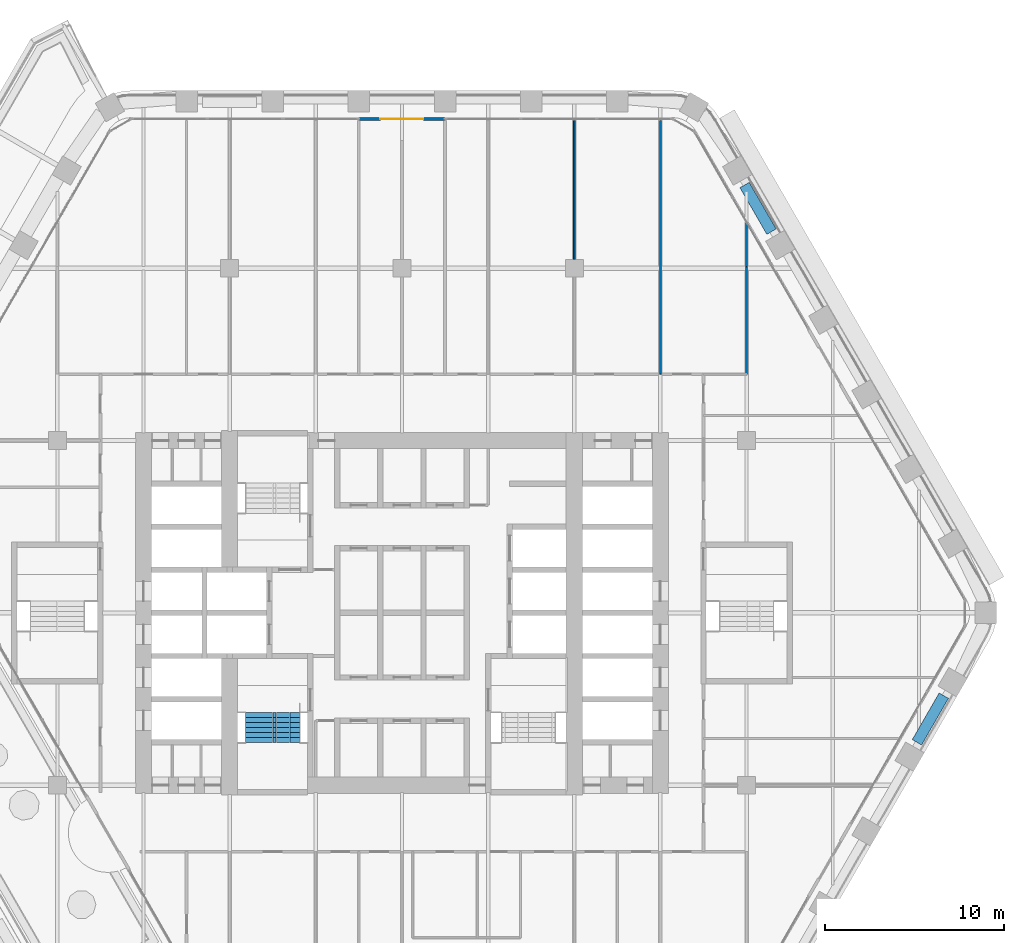
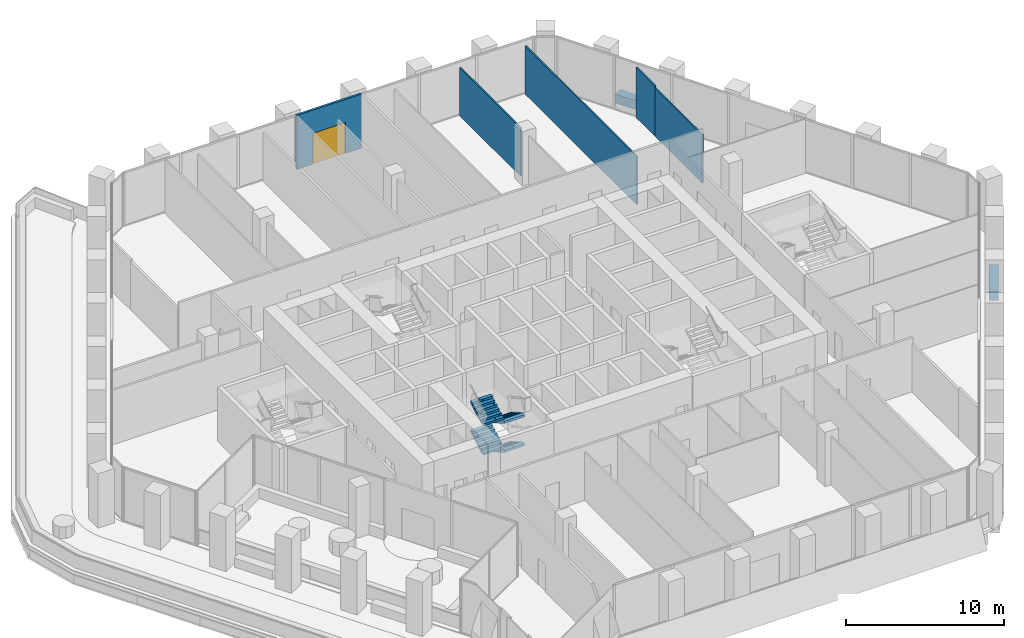
# One storey, part 20 of 27: 7 walls, 4 stair flights, 1 door, 1 opening, 1 element without a shape of its own.
"""IFC4 building model written with IfcOpenShell, lengths in metres."""

from ifc_helpers import new_model, si_unit, direction, frame, frame_2d, origin, place, context, subcontext, project, spatial, polyline, rectangle, outline, extrude, material, layer, layer_set, type_object, element, fill, aggregate, save


model = new_model("IFC4")

# Units and contexts
model_context = context("Model", 3, precision=1e-05, world=origin(), true_north=direction((0.0, 1.0)))
body_context = subcontext(model_context, "Body", "Model", "MODEL_VIEW")
ifc_project = project(units=[si_unit("LENGTHUNIT", "METRE"), si_unit("AREAUNIT", "SQUARE_METRE"), si_unit("VOLUMEUNIT", "CUBIC_METRE"), si_unit("PLANEANGLEUNIT", "RADIAN"), si_unit("MASSUNIT", "GRAM", prefix="KILO")], contexts=[model_context])

# Site, building, storey
site_placement = place(None, origin())
site = spatial("IfcSite", under=ifc_project, at=site_placement, CompositionType="ELEMENT")
building_placement = place(site_placement, origin())
building = spatial("IfcBuilding", under=site, at=building_placement, Name="Kolab Exchange Tower", CompositionType="ELEMENT")
storey_placement = place(building_placement, frame((0.0, 0.0, 122.89990234375)))
storey = spatial("IfcBuildingStorey", under=building, at=storey_placement, Name="L24", CompositionType="ELEMENT", Elevation=122.89990234375)

# Wall, opening, door
ifc_material_1 = material(Name="Aluminium EN AW-6063 T6", Category="aluminium")
ifc_layer_1 = layer(ifc_material_1, 0.159912109375)
ifc_layer_set_1 = layer_set([ifc_layer_1], Name="Aluminium EN AW-6063 T6")
wall_type_1 = type_object("IfcWallType", Name="DOOR SURROUND WALL 160 ALUMINIUM FRAMED", PredefinedType="PARTITIONING", material=ifc_layer_set_1)
wall_1_placement = place(storey_placement, frame((-2.3701171875, 27.5185546875, 0.0), z_axis=(0.0, 0.0, 1.0), x_axis=(1.0, 0.0, 0.0)))
wall_1 = element("IfcWall", 1, at=wall_1_placement, inside=storey, type_object=wall_type_1, Name="Door surround wall", PredefinedType="PARTITIONING", context=body_context, shape_type="SweptSolid", body=[
    extrude(rectangle(XDim=4.740234375, YDim=0.159912109375, at=frame_2d((2.3701171875, 0.0))), origin(), (0.0, 0.0, 1.0), 4.2001953125),
])
opening_placement = place(wall_1_placement, frame((1.169921875, 0.0, 0.0)))
opening = element("IfcOpeningElement", 2, at=opening_placement, cuts=wall_1, Name="Opening GD1-043", PredefinedType="OPENING", context=body_context, shape_type="SweptSolid", body=[
    extrude(rectangle(XDim=2.39990234375, YDim=2.39990234375, at=frame_2d((1.199951171875, 1.199951171875))), frame((0.0, 0.08984375, 0.0), z_axis=(0.0, -1.0, 0.0), x_axis=(1.0, 0.0, 0.0)), (0.0, 0.0, 1.0), 0.179931640625),
])
door_type = type_object("IfcDoorType", Name="LOGGIA SLIDING GLASS DOOR 2400 X 2400", OperationType="DOUBLE_DOOR_SINGLE_SWING", PredefinedType="DOOR", material=ifc_material_1)
door_placement = place(opening_placement, origin())
door = element("IfcDoor", 3, at=door_placement, inside=storey, type_object=door_type, Name="Loggia door", OperationType="DOUBLE_DOOR_SLIDING", OverallHeight=2.39990234375, OverallWidth=2.39990234375, PredefinedType="DOOR", context=body_context, shape_type="SweptSolid", body=[
    extrude(rectangle(XDim=2.39990234375, YDim=2.39990234375, at=frame_2d((1.199951171875, 1.199951171875))), frame((0.0, 0.02490234375, 0.0), z_axis=(0.0, -1.0, 0.0), x_axis=(1.0, 0.0, 0.0)), (0.0, 0.0, 1.0), 0.050048828125),
])
fill(opening, door)

# Walls
ifc_material_2 = material(Name="Gypsum board", Category="gypsum")
ifc_layer_2 = layer(ifc_material_2, 0.10009765625)
ifc_layer_set_2 = layer_set([ifc_layer_2], Name="Gypsum board")
wall_type_2 = type_object("IfcWallType", Name="PARTITION 100", PredefinedType="PARTITIONING", material=ifc_layer_set_2)
wall_2_placement = place(storey_placement, frame((19.199951171875, 13.300048828125, 0.0), z_axis=(0.0, 0.0, 1.0), x_axis=(0.0, 1.0, 0.0)))
element("IfcWall", 4, at=wall_2_placement, inside=storey, type_object=wall_type_2, Name="Partition 000", PredefinedType="PARTITIONING", context=body_context, shape_type="SweptSolid", body=[
    extrude(rectangle(XDim=5.993408203125, YDim=0.10009765625, at=frame_2d((2.99658203125, 0.0))), origin(), (0.0, 0.0, 1.0), 3.7431640625),
])
wall_3_placement = place(storey_placement, frame((19.199951171875, 19.29345703125, 0.0), z_axis=(0.0, 0.0, 1.0), x_axis=(0.0, 1.0, 0.0)))
element("IfcWall", 5, at=wall_3_placement, inside=storey, type_object=wall_type_2, Name="Partition 000", PredefinedType="PARTITIONING", context=body_context, shape_type="SweptSolid", body=[
    extrude(rectangle(XDim=2.407958984375, YDim=0.10009765625, at=frame_2d((1.2041015625, 0.0))), origin(), (0.0, 0.0, 1.0), 3.89013671875),
])
wall_4_placement = place(storey_placement, frame((14.39990234375, 13.300048828125, 0.0), z_axis=(0.0, 0.0, 1.0), x_axis=(0.0, 1.0, 0.0)))
element("IfcWall", 6, at=wall_4_placement, inside=storey, type_object=wall_type_2, Name="Partition 004", PredefinedType="PARTITIONING", context=body_context, shape_type="SweptSolid", body=[
    extrude(rectangle(XDim=14.12841796875, YDim=0.10009765625, at=frame_2d((7.064208984375, 0.0))), origin(), (0.0, 0.0, 1.0), 3.7431640625),
])
wall_5_placement = place(storey_placement, frame((9.60009765625, 19.699951171875, 0.0), z_axis=(0.0, 0.0, 1.0), x_axis=(0.0, 1.0, 0.0)))
element("IfcWall", 7, at=wall_5_placement, inside=storey, type_object=wall_type_2, Name="Partition 012", PredefinedType="PARTITIONING", context=body_context, shape_type="SweptSolid", body=[
    extrude(rectangle(XDim=7.728515625, YDim=0.10009765625, at=frame_2d((3.8642578125, 0.0))), origin(), (0.0, 0.0, 1.0), 3.7431640625),
])
ifc_material_3 = material(Name="Granite facing", Category="masonry")
ifc_layer_3 = layer(ifc_material_3, 0.0400390625)
ifc_material_4 = material(Name="Concrete C40/50 precast", Category="concrete")
ifc_layer_4 = layer(ifc_material_4, 0.56005859375)
ifc_layer_set_3 = layer_set([ifc_layer_3, ifc_layer_4], Name="Concrete C40/50 precast")
wall_type_3 = type_object("IfcWallType", Name="PLANTER BOX 600 X 700 SOIL DEPTH 550", PredefinedType="USERDEFINED", material=ifc_layer_set_3)
for number, where, z_axis, x_axis, name in (
    (8, (19.087158203125, 23.837158203125, 0.0), (0.0, 0.0, 1.0), (0.499990139034, -0.866031096941, 0.0), "Planter"),
    (9, (30.18701171875, -4.611328125, 0.0), (0.0, 0.0, 1.0), (-0.499990139034, -0.866031096941, 0.0), "Planter"),
):
    element("IfcWall", number, at=place(storey_placement, frame(where, z_axis=z_axis, x_axis=x_axis)), inside=storey, type_object=wall_type_3, Name=name, ObjectType="PLANTER", PredefinedType="USERDEFINED", context=body_context, shape_type="SweptSolid", body=[
        extrude(rectangle(XDim=3.0, YDim=0.60009765625, at=frame_2d((1.5, 0.0))), origin(), (0.0, 0.0, 1.0), 0.7001953125),
    ])

# Stair, stair flights
ifc_material_5 = material(Name="Concrete C50/60", Category="concrete")
stair_type = type_object("IfcStairType", Name="STAIR ST3 RISER 160.7", PredefinedType="DOUBLE_RETURN_STAIR", material=ifc_material_5)
stair_placement = place(storey_placement, origin())
stair = element("IfcStair", 10, at=stair_placement, inside=storey, type_object=stair_type, Name="Stair 3", PredefinedType="DOUBLE_RETURN_STAIR")
stair_flight_type = type_object("IfcStairFlightType", Name="STAIR FLIGHT 1500 RISER 160.7", PredefinedType="STRAIGHT", material=ifc_material_5)
stair_flight_1_placement = place(storey_placement, frame((-6.43994140625, -5.550048828125, 0.0), z_axis=(0.0, 0.0, 1.0), x_axis=(0.0, -1.0, 0.0)))
stair_flight_1 = element("IfcStairFlight", 11, at=stair_flight_1_placement, type_object=stair_flight_type, Name="ST3 flight 1", NumberOfRisers=7, NumberOfTreads=6, PredefinedType="STRAIGHT", RiserHeight=0.160714286, TreadLength=0.28, context=body_context, shape_type="SweptSolid", body=[
    extrude(outline(polyline([(0.0, 0.0), (0.0, 0.16064453125), (0.280029296875, 0.16064453125), (0.280029296875, 0.321533203125), (0.56005859375, 0.321533203125), (0.56005859375, 0.482177734375), (0.840087890625, 0.482177734375), (0.840087890625, 0.642822265625), (1.1201171875, 0.642822265625), (1.1201171875, 0.803466796875), (1.39990234375, 0.803466796875), (1.39990234375, 0.96435546875), (1.679931640625, 0.96435546875), (1.679931640625, 1.125), (1.679931640625, 0.79150390625), (0.301025390625, 0.0), (0.0, 0.0)])), frame((0.0, 0.75, 0.0), z_axis=(0.0, -1.0, 0.0), x_axis=(1.0, 0.0, 0.0)), (0.0, 0.0, 1.0), 0.185791015625),
    extrude(outline(polyline([(0.0, 0.0), (0.0, 0.16064453125), (0.280029296875, 0.16064453125), (0.280029296875, 0.321533203125), (0.56005859375, 0.321533203125), (0.56005859375, 0.482177734375), (0.840087890625, 0.482177734375), (0.840087890625, 0.642822265625), (1.1201171875, 0.642822265625), (1.1201171875, 0.803466796875), (1.39990234375, 0.803466796875), (1.39990234375, 0.96435546875), (1.679931640625, 0.96435546875), (1.679931640625, 1.125), (1.679931640625, 0.79150390625), (0.301025390625, 0.0), (0.0, 0.0)])), frame((0.0, 0.562255859375, 0.0), z_axis=(0.0, -1.0, 0.0), x_axis=(1.0, 0.0, 0.0)), (0.0, 0.0, 1.0), 0.185791015625),
    extrude(outline(polyline([(0.0, 0.0), (0.0, 0.16064453125), (0.280029296875, 0.16064453125), (0.280029296875, 0.321533203125), (0.56005859375, 0.321533203125), (0.56005859375, 0.482177734375), (0.840087890625, 0.482177734375), (0.840087890625, 0.642822265625), (1.1201171875, 0.642822265625), (1.1201171875, 0.803466796875), (1.39990234375, 0.803466796875), (1.39990234375, 0.96435546875), (1.679931640625, 0.96435546875), (1.679931640625, 1.125), (1.679931640625, 0.79150390625), (0.301025390625, 0.0), (0.0, 0.0)])), frame((0.0, 0.37451171875, 0.0), z_axis=(0.0, -1.0, 0.0), x_axis=(1.0, 0.0, 0.0)), (0.0, 0.0, 1.0), 0.185791015625),
    extrude(outline(polyline([(0.0, 0.0), (0.0, 0.16064453125), (0.280029296875, 0.16064453125), (0.280029296875, 0.321533203125), (0.56005859375, 0.321533203125), (0.56005859375, 0.482177734375), (0.840087890625, 0.482177734375), (0.840087890625, 0.642822265625), (1.1201171875, 0.642822265625), (1.1201171875, 0.803466796875), (1.39990234375, 0.803466796875), (1.39990234375, 0.96435546875), (1.679931640625, 0.96435546875), (1.679931640625, 1.125), (1.679931640625, 0.79150390625), (0.301025390625, 0.0), (0.0, 0.0)])), frame((0.0, 0.186767578125, 0.0), z_axis=(0.0, -1.0, 0.0), x_axis=(1.0, 0.0, 0.0)), (0.0, 0.0, 1.0), 0.185791015625),
    extrude(outline(polyline([(0.0, 0.0), (0.0, 0.16064453125), (0.280029296875, 0.16064453125), (0.280029296875, 0.321533203125), (0.56005859375, 0.321533203125), (0.56005859375, 0.482177734375), (0.840087890625, 0.482177734375), (0.840087890625, 0.642822265625), (1.1201171875, 0.642822265625), (1.1201171875, 0.803466796875), (1.39990234375, 0.803466796875), (1.39990234375, 0.96435546875), (1.679931640625, 0.96435546875), (1.679931640625, 1.125), (1.679931640625, 0.79150390625), (0.301025390625, 0.0), (0.0, 0.0)])), frame((0.0, -0.0009765625, 0.0), z_axis=(0.0, -1.0, 0.0), x_axis=(1.0, 0.0, 0.0)), (0.0, 0.0, 1.0), 0.185791015625),
    extrude(outline(polyline([(0.0, 0.0), (0.0, 0.16064453125), (0.280029296875, 0.16064453125), (0.280029296875, 0.321533203125), (0.56005859375, 0.321533203125), (0.56005859375, 0.482177734375), (0.840087890625, 0.482177734375), (0.840087890625, 0.642822265625), (1.1201171875, 0.642822265625), (1.1201171875, 0.803466796875), (1.39990234375, 0.803466796875), (1.39990234375, 0.96435546875), (1.679931640625, 0.96435546875), (1.679931640625, 1.125), (1.679931640625, 0.79150390625), (0.301025390625, 0.0), (0.0, 0.0)])), frame((0.0, -0.188720703125, 0.0), z_axis=(0.0, -1.0, 0.0), x_axis=(1.0, 0.0, 0.0)), (0.0, 0.0, 1.0), 0.185791015625),
    extrude(outline(polyline([(0.0, 0.0), (0.0, 0.16064453125), (0.280029296875, 0.16064453125), (0.280029296875, 0.321533203125), (0.56005859375, 0.321533203125), (0.56005859375, 0.482177734375), (0.840087890625, 0.482177734375), (0.840087890625, 0.642822265625), (1.1201171875, 0.642822265625), (1.1201171875, 0.803466796875), (1.39990234375, 0.803466796875), (1.39990234375, 0.96435546875), (1.679931640625, 0.96435546875), (1.679931640625, 1.125), (1.679931640625, 0.79150390625), (0.301025390625, 0.0), (0.0, 0.0)])), frame((0.0, -0.37646484375, 0.0), z_axis=(0.0, -1.0, 0.0), x_axis=(1.0, 0.0, 0.0)), (0.0, 0.0, 1.0), 0.185791015625),
    extrude(outline(polyline([(0.0, 0.0), (0.0, 0.16064453125), (0.280029296875, 0.16064453125), (0.280029296875, 0.321533203125), (0.56005859375, 0.321533203125), (0.56005859375, 0.482177734375), (0.840087890625, 0.482177734375), (0.840087890625, 0.642822265625), (1.1201171875, 0.642822265625), (1.1201171875, 0.803466796875), (1.39990234375, 0.803466796875), (1.39990234375, 0.96435546875), (1.679931640625, 0.96435546875), (1.679931640625, 1.125), (1.679931640625, 0.79150390625), (0.301025390625, 0.0), (0.0, 0.0)])), frame((0.0, -0.564208984375, 0.0), z_axis=(0.0, -1.0, 0.0), x_axis=(1.0, 0.0, 0.0)), (0.0, 0.0, 1.0), 0.185791015625),
])
stair_flight_2_placement = place(storey_placement, frame((-7.9599609375, -7.22998046875, 1.125), z_axis=(0.0, 0.0, 1.0), x_axis=(0.0, 1.0, 0.0)))
stair_flight_2 = element("IfcStairFlight", 12, at=stair_flight_2_placement, type_object=stair_flight_type, Name="ST3 flight 2", NumberOfRisers=7, NumberOfTreads=6, PredefinedType="STRAIGHT", RiserHeight=0.160714286, TreadLength=0.28, context=body_context, shape_type="SweptSolid", body=[
    extrude(outline(polyline([(0.0, 0.0), (0.0, 0.16064453125), (0.280029296875, 0.16064453125), (0.280029296875, 0.321533203125), (0.56005859375, 0.321533203125), (0.56005859375, 0.482177734375), (0.840087890625, 0.482177734375), (0.840087890625, 0.642822265625), (1.1201171875, 0.642822265625), (1.1201171875, 0.803466796875), (1.39990234375, 0.803466796875), (1.39990234375, 0.96435546875), (1.679931640625, 0.96435546875), (1.679931640625, 1.125), (1.679931640625, 0.79150390625), (0.301025390625, 0.0), (0.0, 0.0)])), frame((0.0, 0.75, 0.0), z_axis=(0.0, -1.0, 0.0), x_axis=(1.0, 0.0, 0.0)), (0.0, 0.0, 1.0), 0.185791015625),
    extrude(outline(polyline([(0.0, 0.0), (0.0, 0.16064453125), (0.280029296875, 0.16064453125), (0.280029296875, 0.321533203125), (0.56005859375, 0.321533203125), (0.56005859375, 0.482177734375), (0.840087890625, 0.482177734375), (0.840087890625, 0.642822265625), (1.1201171875, 0.642822265625), (1.1201171875, 0.803466796875), (1.39990234375, 0.803466796875), (1.39990234375, 0.96435546875), (1.679931640625, 0.96435546875), (1.679931640625, 1.125), (1.679931640625, 0.79150390625), (0.301025390625, 0.0), (0.0, 0.0)])), frame((0.0, 0.562255859375, 0.0), z_axis=(0.0, -1.0, 0.0), x_axis=(1.0, 0.0, 0.0)), (0.0, 0.0, 1.0), 0.185791015625),
    extrude(outline(polyline([(0.0, 0.0), (0.0, 0.16064453125), (0.280029296875, 0.16064453125), (0.280029296875, 0.321533203125), (0.56005859375, 0.321533203125), (0.56005859375, 0.482177734375), (0.840087890625, 0.482177734375), (0.840087890625, 0.642822265625), (1.1201171875, 0.642822265625), (1.1201171875, 0.803466796875), (1.39990234375, 0.803466796875), (1.39990234375, 0.96435546875), (1.679931640625, 0.96435546875), (1.679931640625, 1.125), (1.679931640625, 0.79150390625), (0.301025390625, 0.0), (0.0, 0.0)])), frame((0.0, 0.37451171875, 0.0), z_axis=(0.0, -1.0, 0.0), x_axis=(1.0, 0.0, 0.0)), (0.0, 0.0, 1.0), 0.185791015625),
    extrude(outline(polyline([(0.0, 0.0), (0.0, 0.16064453125), (0.280029296875, 0.16064453125), (0.280029296875, 0.321533203125), (0.56005859375, 0.321533203125), (0.56005859375, 0.482177734375), (0.840087890625, 0.482177734375), (0.840087890625, 0.642822265625), (1.1201171875, 0.642822265625), (1.1201171875, 0.803466796875), (1.39990234375, 0.803466796875), (1.39990234375, 0.96435546875), (1.679931640625, 0.96435546875), (1.679931640625, 1.125), (1.679931640625, 0.79150390625), (0.301025390625, 0.0), (0.0, 0.0)])), frame((0.0, 0.186767578125, 0.0), z_axis=(0.0, -1.0, 0.0), x_axis=(1.0, 0.0, 0.0)), (0.0, 0.0, 1.0), 0.185791015625),
    extrude(outline(polyline([(0.0, 0.0), (0.0, 0.16064453125), (0.280029296875, 0.16064453125), (0.280029296875, 0.321533203125), (0.56005859375, 0.321533203125), (0.56005859375, 0.482177734375), (0.840087890625, 0.482177734375), (0.840087890625, 0.642822265625), (1.1201171875, 0.642822265625), (1.1201171875, 0.803466796875), (1.39990234375, 0.803466796875), (1.39990234375, 0.96435546875), (1.679931640625, 0.96435546875), (1.679931640625, 1.125), (1.679931640625, 0.79150390625), (0.301025390625, 0.0), (0.0, 0.0)])), frame((0.0, -0.0009765625, 0.0), z_axis=(0.0, -1.0, 0.0), x_axis=(1.0, 0.0, 0.0)), (0.0, 0.0, 1.0), 0.185791015625),
    extrude(outline(polyline([(0.0, 0.0), (0.0, 0.16064453125), (0.280029296875, 0.16064453125), (0.280029296875, 0.321533203125), (0.56005859375, 0.321533203125), (0.56005859375, 0.482177734375), (0.840087890625, 0.482177734375), (0.840087890625, 0.642822265625), (1.1201171875, 0.642822265625), (1.1201171875, 0.803466796875), (1.39990234375, 0.803466796875), (1.39990234375, 0.96435546875), (1.679931640625, 0.96435546875), (1.679931640625, 1.125), (1.679931640625, 0.79150390625), (0.301025390625, 0.0), (0.0, 0.0)])), frame((0.0, -0.188720703125, 0.0), z_axis=(0.0, -1.0, 0.0), x_axis=(1.0, 0.0, 0.0)), (0.0, 0.0, 1.0), 0.185791015625),
    extrude(outline(polyline([(0.0, 0.0), (0.0, 0.16064453125), (0.280029296875, 0.16064453125), (0.280029296875, 0.321533203125), (0.56005859375, 0.321533203125), (0.56005859375, 0.482177734375), (0.840087890625, 0.482177734375), (0.840087890625, 0.642822265625), (1.1201171875, 0.642822265625), (1.1201171875, 0.803466796875), (1.39990234375, 0.803466796875), (1.39990234375, 0.96435546875), (1.679931640625, 0.96435546875), (1.679931640625, 1.125), (1.679931640625, 0.79150390625), (0.301025390625, 0.0), (0.0, 0.0)])), frame((0.0, -0.37646484375, 0.0), z_axis=(0.0, -1.0, 0.0), x_axis=(1.0, 0.0, 0.0)), (0.0, 0.0, 1.0), 0.185791015625),
    extrude(outline(polyline([(0.0, 0.0), (0.0, 0.16064453125), (0.280029296875, 0.16064453125), (0.280029296875, 0.321533203125), (0.56005859375, 0.321533203125), (0.56005859375, 0.482177734375), (0.840087890625, 0.482177734375), (0.840087890625, 0.642822265625), (1.1201171875, 0.642822265625), (1.1201171875, 0.803466796875), (1.39990234375, 0.803466796875), (1.39990234375, 0.96435546875), (1.679931640625, 0.96435546875), (1.679931640625, 1.125), (1.679931640625, 0.79150390625), (0.301025390625, 0.0), (0.0, 0.0)])), frame((0.0, -0.564208984375, 0.0), z_axis=(0.0, -1.0, 0.0), x_axis=(1.0, 0.0, 0.0)), (0.0, 0.0, 1.0), 0.185791015625),
])
stair_flight_3_placement = place(storey_placement, frame((-6.43994140625, -5.550048828125, 2.25), z_axis=(0.0, 0.0, 1.0), x_axis=(0.0, -1.0, 0.0)))
stair_flight_3 = element("IfcStairFlight", 13, at=stair_flight_3_placement, type_object=stair_flight_type, Name="ST3 flight 3", NumberOfRisers=7, NumberOfTreads=6, PredefinedType="STRAIGHT", RiserHeight=0.160714286, TreadLength=0.28, context=body_context, shape_type="SweptSolid", body=[
    extrude(outline(polyline([(0.0, 0.0), (0.0, 0.16064453125), (0.280029296875, 0.16064453125), (0.280029296875, 0.321533203125), (0.56005859375, 0.321533203125), (0.56005859375, 0.482177734375), (0.840087890625, 0.482177734375), (0.840087890625, 0.642822265625), (1.1201171875, 0.642822265625), (1.1201171875, 0.803466796875), (1.39990234375, 0.803466796875), (1.39990234375, 0.96435546875), (1.679931640625, 0.96435546875), (1.679931640625, 1.125), (1.679931640625, 0.79150390625), (0.301025390625, 0.0), (0.0, 0.0)])), frame((0.0, 0.75, 0.0), z_axis=(0.0, -1.0, 0.0), x_axis=(1.0, 0.0, 0.0)), (0.0, 0.0, 1.0), 0.185791015625),
    extrude(outline(polyline([(0.0, 0.0), (0.0, 0.16064453125), (0.280029296875, 0.16064453125), (0.280029296875, 0.321533203125), (0.56005859375, 0.321533203125), (0.56005859375, 0.482177734375), (0.840087890625, 0.482177734375), (0.840087890625, 0.642822265625), (1.1201171875, 0.642822265625), (1.1201171875, 0.803466796875), (1.39990234375, 0.803466796875), (1.39990234375, 0.96435546875), (1.679931640625, 0.96435546875), (1.679931640625, 1.125), (1.679931640625, 0.79150390625), (0.301025390625, 0.0), (0.0, 0.0)])), frame((0.0, 0.562255859375, 0.0), z_axis=(0.0, -1.0, 0.0), x_axis=(1.0, 0.0, 0.0)), (0.0, 0.0, 1.0), 0.185791015625),
    extrude(outline(polyline([(0.0, 0.0), (0.0, 0.16064453125), (0.280029296875, 0.16064453125), (0.280029296875, 0.321533203125), (0.56005859375, 0.321533203125), (0.56005859375, 0.482177734375), (0.840087890625, 0.482177734375), (0.840087890625, 0.642822265625), (1.1201171875, 0.642822265625), (1.1201171875, 0.803466796875), (1.39990234375, 0.803466796875), (1.39990234375, 0.96435546875), (1.679931640625, 0.96435546875), (1.679931640625, 1.125), (1.679931640625, 0.79150390625), (0.301025390625, 0.0), (0.0, 0.0)])), frame((0.0, 0.37451171875, 0.0), z_axis=(0.0, -1.0, 0.0), x_axis=(1.0, 0.0, 0.0)), (0.0, 0.0, 1.0), 0.185791015625),
    extrude(outline(polyline([(0.0, 0.0), (0.0, 0.16064453125), (0.280029296875, 0.16064453125), (0.280029296875, 0.321533203125), (0.56005859375, 0.321533203125), (0.56005859375, 0.482177734375), (0.840087890625, 0.482177734375), (0.840087890625, 0.642822265625), (1.1201171875, 0.642822265625), (1.1201171875, 0.803466796875), (1.39990234375, 0.803466796875), (1.39990234375, 0.96435546875), (1.679931640625, 0.96435546875), (1.679931640625, 1.125), (1.679931640625, 0.79150390625), (0.301025390625, 0.0), (0.0, 0.0)])), frame((0.0, 0.186767578125, 0.0), z_axis=(0.0, -1.0, 0.0), x_axis=(1.0, 0.0, 0.0)), (0.0, 0.0, 1.0), 0.185791015625),
    extrude(outline(polyline([(0.0, 0.0), (0.0, 0.16064453125), (0.280029296875, 0.16064453125), (0.280029296875, 0.321533203125), (0.56005859375, 0.321533203125), (0.56005859375, 0.482177734375), (0.840087890625, 0.482177734375), (0.840087890625, 0.642822265625), (1.1201171875, 0.642822265625), (1.1201171875, 0.803466796875), (1.39990234375, 0.803466796875), (1.39990234375, 0.96435546875), (1.679931640625, 0.96435546875), (1.679931640625, 1.125), (1.679931640625, 0.79150390625), (0.301025390625, 0.0), (0.0, 0.0)])), frame((0.0, -0.0009765625, 0.0), z_axis=(0.0, -1.0, 0.0), x_axis=(1.0, 0.0, 0.0)), (0.0, 0.0, 1.0), 0.185791015625),
    extrude(outline(polyline([(0.0, 0.0), (0.0, 0.16064453125), (0.280029296875, 0.16064453125), (0.280029296875, 0.321533203125), (0.56005859375, 0.321533203125), (0.56005859375, 0.482177734375), (0.840087890625, 0.482177734375), (0.840087890625, 0.642822265625), (1.1201171875, 0.642822265625), (1.1201171875, 0.803466796875), (1.39990234375, 0.803466796875), (1.39990234375, 0.96435546875), (1.679931640625, 0.96435546875), (1.679931640625, 1.125), (1.679931640625, 0.79150390625), (0.301025390625, 0.0), (0.0, 0.0)])), frame((0.0, -0.188720703125, 0.0), z_axis=(0.0, -1.0, 0.0), x_axis=(1.0, 0.0, 0.0)), (0.0, 0.0, 1.0), 0.185791015625),
    extrude(outline(polyline([(0.0, 0.0), (0.0, 0.16064453125), (0.280029296875, 0.16064453125), (0.280029296875, 0.321533203125), (0.56005859375, 0.321533203125), (0.56005859375, 0.482177734375), (0.840087890625, 0.482177734375), (0.840087890625, 0.642822265625), (1.1201171875, 0.642822265625), (1.1201171875, 0.803466796875), (1.39990234375, 0.803466796875), (1.39990234375, 0.96435546875), (1.679931640625, 0.96435546875), (1.679931640625, 1.125), (1.679931640625, 0.79150390625), (0.301025390625, 0.0), (0.0, 0.0)])), frame((0.0, -0.37646484375, 0.0), z_axis=(0.0, -1.0, 0.0), x_axis=(1.0, 0.0, 0.0)), (0.0, 0.0, 1.0), 0.185791015625),
    extrude(outline(polyline([(0.0, 0.0), (0.0, 0.16064453125), (0.280029296875, 0.16064453125), (0.280029296875, 0.321533203125), (0.56005859375, 0.321533203125), (0.56005859375, 0.482177734375), (0.840087890625, 0.482177734375), (0.840087890625, 0.642822265625), (1.1201171875, 0.642822265625), (1.1201171875, 0.803466796875), (1.39990234375, 0.803466796875), (1.39990234375, 0.96435546875), (1.679931640625, 0.96435546875), (1.679931640625, 1.125), (1.679931640625, 0.79150390625), (0.301025390625, 0.0), (0.0, 0.0)])), frame((0.0, -0.564208984375, 0.0), z_axis=(0.0, -1.0, 0.0), x_axis=(1.0, 0.0, 0.0)), (0.0, 0.0, 1.0), 0.185791015625),
])
stair_flight_4_placement = place(storey_placement, frame((-7.9599609375, -7.22998046875, 3.375), z_axis=(0.0, 0.0, 1.0), x_axis=(0.0, 1.0, 0.0)))
stair_flight_4 = element("IfcStairFlight", 14, at=stair_flight_4_placement, type_object=stair_flight_type, Name="ST3 flight 4", NumberOfRisers=7, NumberOfTreads=6, PredefinedType="STRAIGHT", RiserHeight=0.160714286, TreadLength=0.28, context=body_context, shape_type="SweptSolid", body=[
    extrude(outline(polyline([(0.0, 0.0), (0.0, 0.16064453125), (0.280029296875, 0.16064453125), (0.280029296875, 0.321533203125), (0.56005859375, 0.321533203125), (0.56005859375, 0.482177734375), (0.840087890625, 0.482177734375), (0.840087890625, 0.642822265625), (1.1201171875, 0.642822265625), (1.1201171875, 0.803466796875), (1.39990234375, 0.803466796875), (1.39990234375, 0.96435546875), (1.679931640625, 0.96435546875), (1.679931640625, 1.125), (1.679931640625, 0.79150390625), (0.301025390625, 0.0), (0.0, 0.0)])), frame((0.0, 0.75, 0.0), z_axis=(0.0, -1.0, 0.0), x_axis=(1.0, 0.0, 0.0)), (0.0, 0.0, 1.0), 0.185791015625),
    extrude(outline(polyline([(0.0, 0.0), (0.0, 0.16064453125), (0.280029296875, 0.16064453125), (0.280029296875, 0.321533203125), (0.56005859375, 0.321533203125), (0.56005859375, 0.482177734375), (0.840087890625, 0.482177734375), (0.840087890625, 0.642822265625), (1.1201171875, 0.642822265625), (1.1201171875, 0.803466796875), (1.39990234375, 0.803466796875), (1.39990234375, 0.96435546875), (1.679931640625, 0.96435546875), (1.679931640625, 1.125), (1.679931640625, 0.79150390625), (0.301025390625, 0.0), (0.0, 0.0)])), frame((0.0, 0.562255859375, 0.0), z_axis=(0.0, -1.0, 0.0), x_axis=(1.0, 0.0, 0.0)), (0.0, 0.0, 1.0), 0.185791015625),
    extrude(outline(polyline([(0.0, 0.0), (0.0, 0.16064453125), (0.280029296875, 0.16064453125), (0.280029296875, 0.321533203125), (0.56005859375, 0.321533203125), (0.56005859375, 0.482177734375), (0.840087890625, 0.482177734375), (0.840087890625, 0.642822265625), (1.1201171875, 0.642822265625), (1.1201171875, 0.803466796875), (1.39990234375, 0.803466796875), (1.39990234375, 0.96435546875), (1.679931640625, 0.96435546875), (1.679931640625, 1.125), (1.679931640625, 0.79150390625), (0.301025390625, 0.0), (0.0, 0.0)])), frame((0.0, 0.37451171875, 0.0), z_axis=(0.0, -1.0, 0.0), x_axis=(1.0, 0.0, 0.0)), (0.0, 0.0, 1.0), 0.185791015625),
    extrude(outline(polyline([(0.0, 0.0), (0.0, 0.16064453125), (0.280029296875, 0.16064453125), (0.280029296875, 0.321533203125), (0.56005859375, 0.321533203125), (0.56005859375, 0.482177734375), (0.840087890625, 0.482177734375), (0.840087890625, 0.642822265625), (1.1201171875, 0.642822265625), (1.1201171875, 0.803466796875), (1.39990234375, 0.803466796875), (1.39990234375, 0.96435546875), (1.679931640625, 0.96435546875), (1.679931640625, 1.125), (1.679931640625, 0.79150390625), (0.301025390625, 0.0), (0.0, 0.0)])), frame((0.0, 0.186767578125, 0.0), z_axis=(0.0, -1.0, 0.0), x_axis=(1.0, 0.0, 0.0)), (0.0, 0.0, 1.0), 0.185791015625),
    extrude(outline(polyline([(0.0, 0.0), (0.0, 0.16064453125), (0.280029296875, 0.16064453125), (0.280029296875, 0.321533203125), (0.56005859375, 0.321533203125), (0.56005859375, 0.482177734375), (0.840087890625, 0.482177734375), (0.840087890625, 0.642822265625), (1.1201171875, 0.642822265625), (1.1201171875, 0.803466796875), (1.39990234375, 0.803466796875), (1.39990234375, 0.96435546875), (1.679931640625, 0.96435546875), (1.679931640625, 1.125), (1.679931640625, 0.79150390625), (0.301025390625, 0.0), (0.0, 0.0)])), frame((0.0, -0.0009765625, 0.0), z_axis=(0.0, -1.0, 0.0), x_axis=(1.0, 0.0, 0.0)), (0.0, 0.0, 1.0), 0.185791015625),
    extrude(outline(polyline([(0.0, 0.0), (0.0, 0.16064453125), (0.280029296875, 0.16064453125), (0.280029296875, 0.321533203125), (0.56005859375, 0.321533203125), (0.56005859375, 0.482177734375), (0.840087890625, 0.482177734375), (0.840087890625, 0.642822265625), (1.1201171875, 0.642822265625), (1.1201171875, 0.803466796875), (1.39990234375, 0.803466796875), (1.39990234375, 0.96435546875), (1.679931640625, 0.96435546875), (1.679931640625, 1.125), (1.679931640625, 0.79150390625), (0.301025390625, 0.0), (0.0, 0.0)])), frame((0.0, -0.188720703125, 0.0), z_axis=(0.0, -1.0, 0.0), x_axis=(1.0, 0.0, 0.0)), (0.0, 0.0, 1.0), 0.185791015625),
    extrude(outline(polyline([(0.0, 0.0), (0.0, 0.16064453125), (0.280029296875, 0.16064453125), (0.280029296875, 0.321533203125), (0.56005859375, 0.321533203125), (0.56005859375, 0.482177734375), (0.840087890625, 0.482177734375), (0.840087890625, 0.642822265625), (1.1201171875, 0.642822265625), (1.1201171875, 0.803466796875), (1.39990234375, 0.803466796875), (1.39990234375, 0.96435546875), (1.679931640625, 0.96435546875), (1.679931640625, 1.125), (1.679931640625, 0.79150390625), (0.301025390625, 0.0), (0.0, 0.0)])), frame((0.0, -0.37646484375, 0.0), z_axis=(0.0, -1.0, 0.0), x_axis=(1.0, 0.0, 0.0)), (0.0, 0.0, 1.0), 0.185791015625),
    extrude(outline(polyline([(0.0, 0.0), (0.0, 0.16064453125), (0.280029296875, 0.16064453125), (0.280029296875, 0.321533203125), (0.56005859375, 0.321533203125), (0.56005859375, 0.482177734375), (0.840087890625, 0.482177734375), (0.840087890625, 0.642822265625), (1.1201171875, 0.642822265625), (1.1201171875, 0.803466796875), (1.39990234375, 0.803466796875), (1.39990234375, 0.96435546875), (1.679931640625, 0.96435546875), (1.679931640625, 1.125), (1.679931640625, 0.79150390625), (0.301025390625, 0.0), (0.0, 0.0)])), frame((0.0, -0.564208984375, 0.0), z_axis=(0.0, -1.0, 0.0), x_axis=(1.0, 0.0, 0.0)), (0.0, 0.0, 1.0), 0.185791015625),
])
aggregate(stair, [stair_flight_1, stair_flight_2, stair_flight_3, stair_flight_4])

save(model, "model.ifc")
